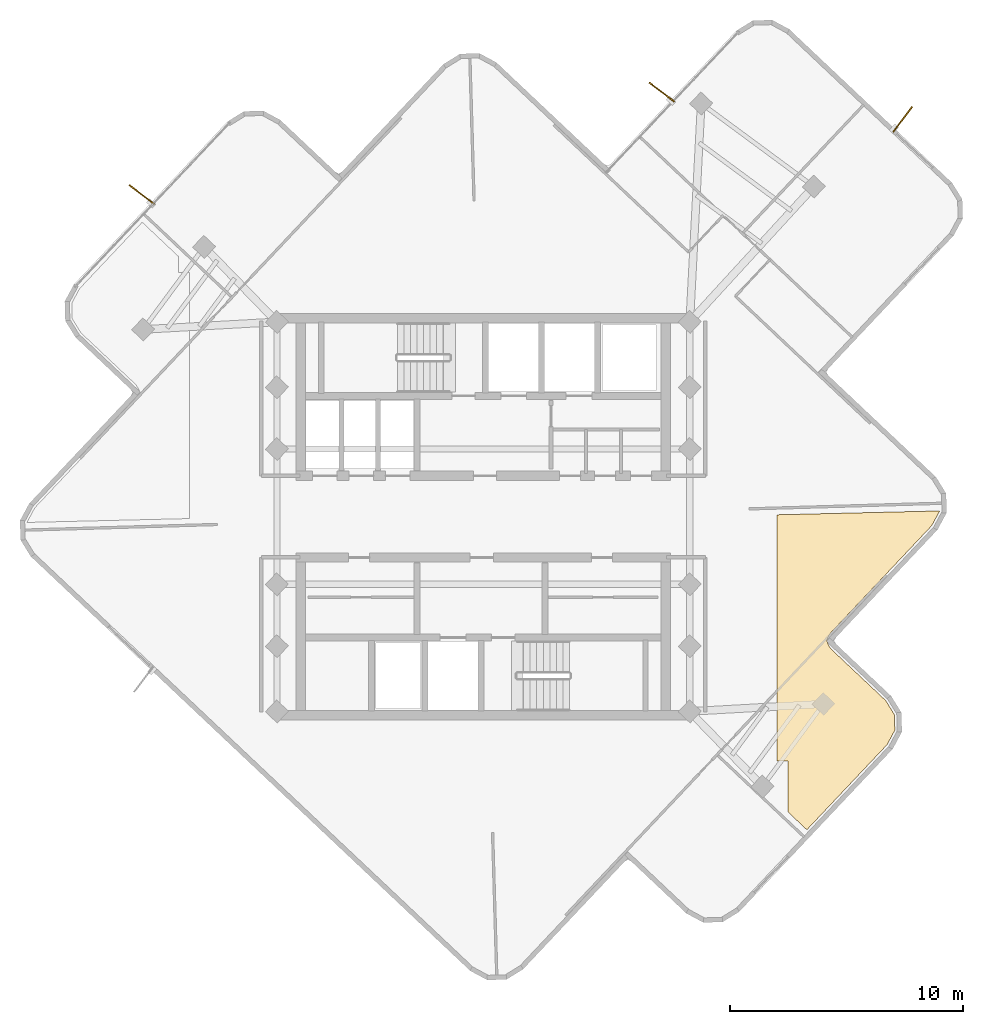
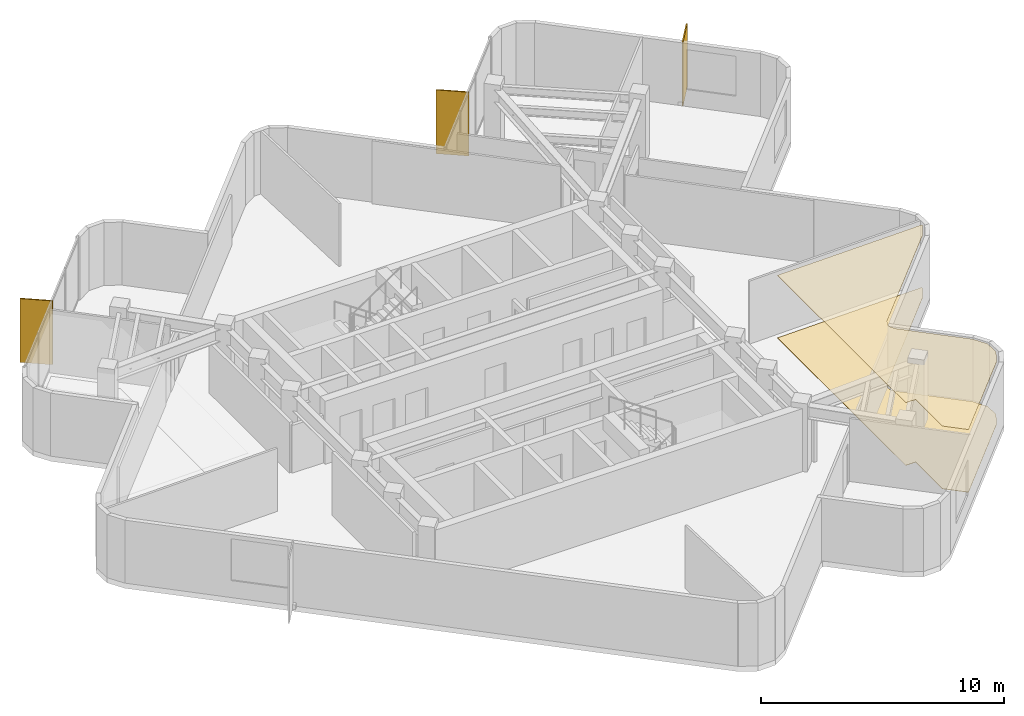
# One storey, part 10 of 10: 3 shading devices, 2 coverings.
"""IFC4 building model written with IfcOpenShell, lengths in metres."""

from ifc_helpers import new_model, si_unit, direction, frame, origin, origin_2d, place, context, subcontext, project, spatial, polyline, rectangle, outline, extrude, material, layer, layer_set, type_object, element, save


model = new_model("IFC4")

# Units and contexts
model_context = context("Model", 3, precision=1e-05, world=origin(), true_north=direction((0.0, 1.0)))
body_context = subcontext(model_context, "Body", "Model", "MODEL_VIEW")
ifc_project = project(units=[si_unit("LENGTHUNIT", "METRE"), si_unit("AREAUNIT", "SQUARE_METRE"), si_unit("VOLUMEUNIT", "CUBIC_METRE"), si_unit("PLANEANGLEUNIT", "RADIAN"), si_unit("MASSUNIT", "GRAM", prefix="KILO")], contexts=[model_context])

# Site, building, storey
site_placement = place(None, origin())
site = spatial("IfcSite", under=ifc_project, at=site_placement, CompositionType="ELEMENT")
building_placement = place(site_placement, origin())
building = spatial("IfcBuilding", under=site, at=building_placement, Name="Solmarez Civic Tower", CompositionType="ELEMENT")
storey_placement = place(building_placement, frame((0.0, 0.0, 247.5)))
storey = spatial("IfcBuildingStorey", under=building, at=storey_placement, Name="L66", CompositionType="ELEMENT", Elevation=247.5)

# Coverings
ifc_material_1 = material(Name="Perforated Mineral-Fibre Acoustic Ceiling")
ifc_layer_1 = layer(ifc_material_1, 0.02490234375)
ifc_layer_set_1 = layer_set([ifc_layer_1], Name="Perforated Mineral-Fibre Acoustic Ceiling")
covering_type_1 = type_object("IfcCoveringType", Name="COV-CEIL-ACOUSTIC", PredefinedType="CEILING", material=ifc_layer_set_1)
covering_1_placement = place(storey_placement, frame((0.0, 0.0, 3.135009765625)))
element("IfcCovering", 1, at=covering_1_placement, inside=storey, type_object=covering_type_1, Name="L66 Suspended Acoustic Ceiling 2", PredefinedType="CEILING", context=body_context, shape_type="SweptSolid", body=[
    extrude(outline(polyline([(12.60009765625, 0.0810546875), (12.60009765625, -10.466064453125), (13.071044921875, -10.466064453125), (13.06689453125, -12.666015625), (13.8701171875, -13.423095703125), (17.306884765625, -9.778076171875), (17.64306640625, -9.154052734375), (17.6240234375, -8.487060546875), (17.251953125, -7.884033203125), (14.924072265625, -5.68896484375), (14.9189453125, -5.68505859375), (14.9140625, -5.679931640625), (14.89990234375, -5.6630859375), (14.884033203125, -5.64208984375), (14.875, -5.62890625), (14.783935546875, -5.48193359375), (14.77392578125, -5.464111328125), (14.77099609375, -5.4580078125), (14.76611328125, -5.447021484375), (14.762939453125, -5.43994140625), (14.759033203125, -5.429931640625), (14.756103515625, -5.422119140625), (14.7490234375, -5.39990234375), (14.743896484375, -5.3759765625), (14.742919921875, -5.364990234375), (14.741943359375, -5.35888671875), (14.740966796875, -5.35400390625), (14.739013671875, -5.3349609375), (14.739013671875, -5.31494140625), (14.740966796875, -5.2958984375), (14.741943359375, -5.283935546875), (14.742919921875, -5.277099609375), (14.748046875, -5.2548828125), (14.75, -5.2470703125), (14.7548828125, -5.22998046875), (14.760986328125, -5.212890625), (14.763916015625, -5.2060546875), (14.76708984375, -5.198974609375), (14.77587890625, -5.180908203125), (14.85693359375, -5.031005859375), (14.87109375, -5.007080078125), (14.875, -5.0009765625), (14.887939453125, -4.98388671875), (14.905029296875, -4.965087890625), (19.22509765625, -0.384033203125), (19.56103515625, 0.239013671875), (19.56103515625, 0.2470703125), (12.60009765625, 0.0810546875)])), origin(), (0.0, 0.0, 1.0), 0.02490234375),
])
ifc_material_2 = material(Name="Polished Tropical Stone Terrazzo Flooring", Category="masonry")
ifc_layer_2 = layer(ifc_material_2, 0.02001953125)
ifc_layer_set_2 = layer_set([ifc_layer_2], Name="Polished Tropical Stone Terrazzo Flooring")
covering_type_2 = type_object("IfcCoveringType", Name="COV-FLOOR-TERRAZZO", PredefinedType="FLOORING", material=ifc_layer_set_2)
covering_2_placement = place(storey_placement, origin())
element("IfcCovering", 2, at=covering_2_placement, inside=storey, type_object=covering_type_2, Name="L66 Terrazzo Floor Finish 2", PredefinedType="FLOORING", context=body_context, shape_type="SweptSolid", body=[
    extrude(outline(polyline([(12.60009765625, 0.0810546875), (12.60009765625, -10.466064453125), (13.071044921875, -10.466064453125), (13.06689453125, -12.666015625), (13.8701171875, -13.423095703125), (17.306884765625, -9.778076171875), (17.64306640625, -9.154052734375), (17.6240234375, -8.487060546875), (17.251953125, -7.884033203125), (14.924072265625, -5.68896484375), (14.9189453125, -5.68505859375), (14.9140625, -5.679931640625), (14.89990234375, -5.6630859375), (14.884033203125, -5.64208984375), (14.875, -5.62890625), (14.783935546875, -5.48193359375), (14.77392578125, -5.464111328125), (14.77099609375, -5.4580078125), (14.76611328125, -5.447021484375), (14.762939453125, -5.43994140625), (14.759033203125, -5.429931640625), (14.756103515625, -5.422119140625), (14.7490234375, -5.39990234375), (14.743896484375, -5.3759765625), (14.742919921875, -5.364990234375), (14.741943359375, -5.35888671875), (14.740966796875, -5.35400390625), (14.739013671875, -5.3349609375), (14.739013671875, -5.31494140625), (14.740966796875, -5.2958984375), (14.741943359375, -5.283935546875), (14.742919921875, -5.277099609375), (14.748046875, -5.2548828125), (14.75, -5.2470703125), (14.7548828125, -5.22998046875), (14.760986328125, -5.212890625), (14.763916015625, -5.2060546875), (14.76708984375, -5.198974609375), (14.77587890625, -5.180908203125), (14.85693359375, -5.031005859375), (14.87109375, -5.007080078125), (14.875, -5.0009765625), (14.887939453125, -4.98388671875), (14.905029296875, -4.965087890625), (19.22509765625, -0.384033203125), (19.56103515625, 0.239013671875), (19.56103515625, 0.2470703125), (12.60009765625, 0.0810546875)])), origin(), (0.0, 0.0, 1.0), 0.02001953125),
])

# Shading devices
ifc_material_3 = material(Name="Bronze Anodised Aluminium EN AW-6063 T6", Category="aluminium")
ifc_layer_3 = layer(ifc_material_3, 0.054931640625)
ifc_layer_set_3 = layer_set([ifc_layer_3], Name="Bronze Anodised Aluminium EN AW-6063 T6")
shading_device_type = type_object("IfcShadingDeviceType", Name="FIN-BRONZE-Z56", PredefinedType="USERDEFINED", material=ifc_layer_set_3)
for number, where, z_axis, x_axis, name in (
    (3, (-14.64208984375, 13.806884765625, -0.0400390625), (0.0, 0.0, 1.0), (-0.797025605501, 0.603945514244, 0.0), "L66 Anodised Bronze Solar Fin FIN-L66-02"),
    (4, (7.64794921875, 18.2041015625, -0.0400390625), (0.0, 0.0, 1.0), (-0.796951813689, 0.604042884784, 0.0), "L66 Anodised Bronze Solar Fin FIN-L66-03"),
    (5, (17.97802734375, 17.031982421875, -0.0400390625), (0.0, 0.0, 1.0), (0.604001155657, 0.796983440208, 0.0), "L66 Anodised Bronze Solar Fin FIN-L66-04"),
):
    element("IfcShadingDevice", number, at=place(storey_placement, frame(where, z_axis=z_axis, x_axis=x_axis)), inside=storey, type_object=shading_device_type, Name=name, ObjectType="FIN", PredefinedType="USERDEFINED", context=body_context, shape_type="SweptSolid", body=[
        extrude(rectangle(XDim=1.35009765625, YDim=0.054931640625, at=origin_2d()), origin(), (0.0, 0.0, 1.0), 3.199951171875),
    ])

save(model, "model.ifc")
